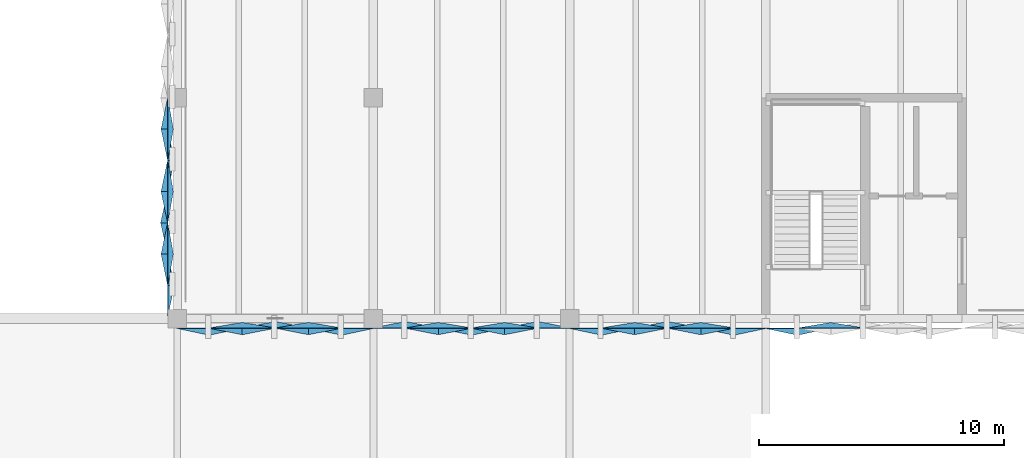
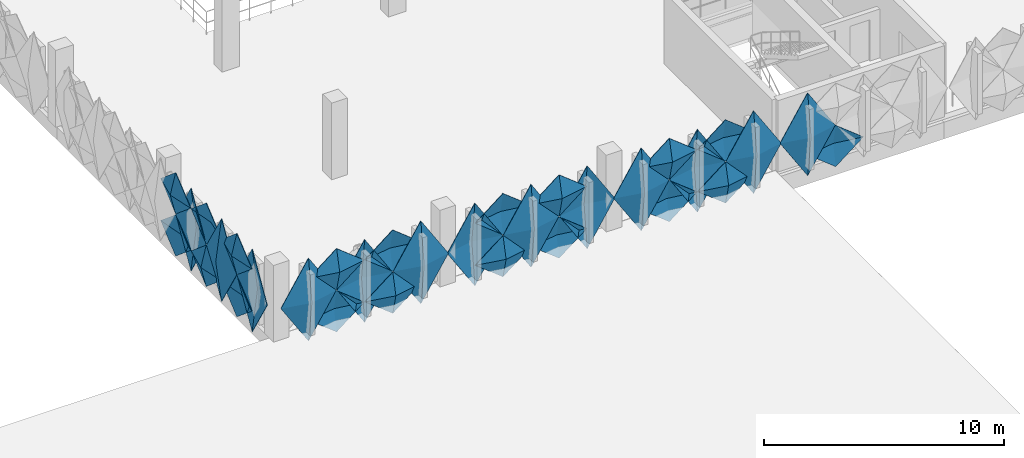
# One storey, part 52 of 76: 32 plates.
"""IFC4 building model written with IfcOpenShell, lengths in metres."""

from ifc_helpers import new_model, si_unit, derived_unit, direction, frame, origin, place, context, subcontext, project, spatial, polygons, material, layer, layer_set, type_object, element, save


model = new_model("IFC4")

# Units and contexts
model_context = context("Model", 3, precision=1e-05, world=origin(), true_north=direction((0.0, 1.0)))
body_context = subcontext(model_context, "Body", "Model", "MODEL_VIEW")
ifc_project = project(units=[si_unit("LENGTHUNIT", "METRE"), si_unit("AREAUNIT", "SQUARE_METRE"), si_unit("VOLUMEUNIT", "CUBIC_METRE"), si_unit("PLANEANGLEUNIT", "RADIAN"), si_unit("MASSUNIT", "GRAM", prefix="KILO"), si_unit("THERMODYNAMICTEMPERATUREUNIT", "KELVIN"), derived_unit("THERMALTRANSMITTANCEUNIT", [(si_unit("POWERUNIT", "WATT"), 1), (si_unit("AREAUNIT", "SQUARE_METRE"), -1), (si_unit("THERMODYNAMICTEMPERATUREUNIT", "KELVIN"), -1)])], contexts=[model_context])

# Site, building, storey
site_placement = place(None, origin())
site = spatial("IfcSite", under=ifc_project, at=site_placement, CompositionType="ELEMENT")
building_placement = place(site_placement, origin())
building = spatial("IfcBuilding", under=site, at=building_placement, Name="Haiyu Intermodal Mobility Hub", CompositionType="ELEMENT")
storey_placement = place(building_placement, frame((0.0, 0.0, 17.300048828125)))
storey = spatial("IfcBuildingStorey", under=building, at=storey_placement, Name="L04", CompositionType="ELEMENT", Elevation=17.300048828125)

# Plates
ifc_material = material(Name="Anodised aluminium 6063-T6", Category="aluminium")
ifc_layer_1 = layer(ifc_material, 0.01806640625)
ifc_layer_set_1 = layer_set([ifc_layer_1], Name="Anodised aluminium 6063-T6")
plate_type_1 = type_object("IfcPlateType", Name="PLT-FC01", PredefinedType="USERDEFINED", material=ifc_layer_set_1)
plate_1_placement = place(storey_placement, origin())
element("IfcPlate", 1, at=plate_1_placement, inside=storey, type_object=plate_type_1, Name="PLT-PYR-0591", ObjectType="FACADE CASSETTE", PredefinedType="USERDEFINED", context=body_context, shape_type="Tessellation", body=[
    polygons([(37.60009765625, 109.177001953125, -0.52001953125), (37.60009765625, 107.923095703125, 0.530029296875), (37.60009765625, 109.177001953125, 1.579833984375), (37.60009765625, 110.430908203125, 0.530029296875), (37.340087890625, 109.177001953125, 0.530029296875), (37.6220703125, 109.177001953125, -0.52001953125), (37.6220703125, 107.923095703125, 0.530029296875), (37.6220703125, 109.177001953125, 1.579833984375), (37.6220703125, 110.430908203125, 0.530029296875), (37.362060546875, 109.177001953125, 0.530029296875)], [[[1, 2, 5]], [[2, 3, 5]], [[3, 4, 5]], [[4, 1, 5]], [[7, 6, 10]], [[8, 7, 10]], [[9, 8, 10]], [[6, 9, 10]], [[1, 6, 7, 2]], [[2, 7, 8, 3]], [[3, 8, 9, 4]], [[4, 9, 6, 1]]], closed=True),
])
plate_2_placement = place(storey_placement, origin())
element("IfcPlate", 2, at=plate_2_placement, inside=storey, type_object=plate_type_1, Name="PLT-PYR-2232", ObjectType="FACADE CASSETTE", PredefinedType="USERDEFINED", context=body_context, shape_type="Tessellation", body=[
    polygons([(63.300048828125, 103.60009765625, -0.510009765625), (64.6298828125, 103.60009765625, 1.599853515625), (63.300048828125, 103.60009765625, 3.7099609375), (61.969970703125, 103.60009765625, 1.599853515625), (63.300048828125, 103.320068359375, 1.599853515625), (63.300048828125, 103.6220703125, -0.510009765625), (64.6298828125, 103.6220703125, 1.599853515625), (63.300048828125, 103.6220703125, 3.7099609375), (61.969970703125, 103.6220703125, 1.599853515625), (63.300048828125, 103.342041015625, 1.599853515625)], [[[1, 2, 5]], [[2, 3, 5]], [[3, 4, 5]], [[4, 1, 5]], [[7, 6, 10]], [[8, 7, 10]], [[9, 8, 10]], [[6, 9, 10]], [[1, 6, 7, 2]], [[2, 7, 8, 3]], [[3, 8, 9, 4]], [[4, 9, 6, 1]]], closed=True),
])
plate_3_placement = place(storey_placement, origin())
element("IfcPlate", 3, at=plate_3_placement, inside=storey, type_object=plate_type_1, Name="PLT-PYR-2535", ObjectType="FACADE CASSETTE", PredefinedType="USERDEFINED", context=body_context, shape_type="Tessellation", body=[
    polygons([(39.300048828125, 103.60009765625, -0.510009765625), (40.6298828125, 103.60009765625, 1.599853515625), (39.300048828125, 103.60009765625, 3.7099609375), (37.969970703125, 103.60009765625, 1.599853515625), (39.300048828125, 103.320068359375, 1.599853515625), (39.300048828125, 103.6220703125, -0.510009765625), (40.6298828125, 103.6220703125, 1.599853515625), (39.300048828125, 103.6220703125, 3.7099609375), (37.969970703125, 103.6220703125, 1.599853515625), (39.300048828125, 103.342041015625, 1.599853515625)], [[[1, 2, 5]], [[2, 3, 5]], [[3, 4, 5]], [[4, 1, 5]], [[7, 6, 10]], [[8, 7, 10]], [[9, 8, 10]], [[6, 9, 10]], [[1, 6, 7, 2]], [[2, 7, 8, 3]], [[3, 8, 9, 4]], [[4, 9, 6, 1]]], closed=True),
])
plate_4_placement = place(storey_placement, origin())
element("IfcPlate", 4, at=plate_4_placement, inside=storey, type_object=plate_type_1, Name="PLT-PYR-2539", ObjectType="FACADE CASSETTE", PredefinedType="USERDEFINED", context=body_context, shape_type="Tessellation", body=[
    polygons([(43.35009765625, 103.60009765625, -0.52001953125), (44.679931640625, 103.60009765625, 0.530029296875), (43.35009765625, 103.60009765625, 1.579833984375), (42.02001953125, 103.60009765625, 0.530029296875), (43.35009765625, 103.340087890625, 0.530029296875), (43.35009765625, 103.6220703125, -0.52001953125), (44.679931640625, 103.6220703125, 0.530029296875), (43.35009765625, 103.6220703125, 1.579833984375), (42.02001953125, 103.6220703125, 0.530029296875), (43.35009765625, 103.362060546875, 0.530029296875)], [[[1, 2, 5]], [[2, 3, 5]], [[3, 4, 5]], [[4, 1, 5]], [[7, 6, 10]], [[8, 7, 10]], [[9, 8, 10]], [[6, 9, 10]], [[1, 6, 7, 2]], [[2, 7, 8, 3]], [[3, 8, 9, 4]], [[4, 9, 6, 1]]], closed=True),
])
plate_5_placement = place(storey_placement, origin())
element("IfcPlate", 5, at=plate_5_placement, inside=storey, type_object=plate_type_1, Name="PLT-PYR-2543", ObjectType="FACADE CASSETTE", PredefinedType="USERDEFINED", context=body_context, shape_type="Tessellation", body=[
    polygons([(48.64990234375, 103.60009765625, -0.52001953125), (49.97998046875, 103.60009765625, 0.530029296875), (48.64990234375, 103.60009765625, 1.579833984375), (47.320068359375, 103.60009765625, 0.530029296875), (48.64990234375, 103.340087890625, 0.530029296875), (48.64990234375, 103.6220703125, -0.52001953125), (49.97998046875, 103.6220703125, 0.530029296875), (48.64990234375, 103.6220703125, 1.579833984375), (47.320068359375, 103.6220703125, 0.530029296875), (48.64990234375, 103.362060546875, 0.530029296875)], [[[1, 2, 5]], [[2, 3, 5]], [[3, 4, 5]], [[4, 1, 5]], [[7, 6, 10]], [[8, 7, 10]], [[9, 8, 10]], [[6, 9, 10]], [[1, 6, 7, 2]], [[2, 7, 8, 3]], [[3, 8, 9, 4]], [[4, 9, 6, 1]]], closed=True),
])
plate_6_placement = place(storey_placement, origin())
element("IfcPlate", 6, at=plate_6_placement, inside=storey, type_object=plate_type_1, Name="PLT-PYR-2549", ObjectType="FACADE CASSETTE", PredefinedType="USERDEFINED", context=body_context, shape_type="Tessellation", body=[
    polygons([(55.300048828125, 103.60009765625, -0.510009765625), (56.6298828125, 103.60009765625, 1.599853515625), (55.300048828125, 103.60009765625, 3.7099609375), (53.969970703125, 103.60009765625, 1.599853515625), (55.300048828125, 103.320068359375, 1.599853515625), (55.300048828125, 103.6220703125, -0.510009765625), (56.6298828125, 103.6220703125, 1.599853515625), (55.300048828125, 103.6220703125, 3.7099609375), (53.969970703125, 103.6220703125, 1.599853515625), (55.300048828125, 103.342041015625, 1.599853515625)], [[[1, 2, 5]], [[2, 3, 5]], [[3, 4, 5]], [[4, 1, 5]], [[7, 6, 10]], [[8, 7, 10]], [[9, 8, 10]], [[6, 9, 10]], [[1, 6, 7, 2]], [[2, 7, 8, 3]], [[3, 8, 9, 4]], [[4, 9, 6, 1]]], closed=True),
])
plate_7_placement = place(storey_placement, origin())
element("IfcPlate", 7, at=plate_7_placement, inside=storey, type_object=plate_type_1, Name="PLT-PYR-2553", ObjectType="FACADE CASSETTE", PredefinedType="USERDEFINED", context=body_context, shape_type="Tessellation", body=[
    polygons([(59.35009765625, 103.60009765625, -0.52001953125), (60.679931640625, 103.60009765625, 0.530029296875), (59.35009765625, 103.60009765625, 1.579833984375), (58.02001953125, 103.60009765625, 0.530029296875), (59.35009765625, 103.340087890625, 0.530029296875), (59.35009765625, 103.6220703125, -0.52001953125), (60.679931640625, 103.6220703125, 0.530029296875), (59.35009765625, 103.6220703125, 1.579833984375), (58.02001953125, 103.6220703125, 0.530029296875), (59.35009765625, 103.362060546875, 0.530029296875)], [[[1, 2, 5]], [[2, 3, 5]], [[3, 4, 5]], [[4, 1, 5]], [[7, 6, 10]], [[8, 7, 10]], [[9, 8, 10]], [[6, 9, 10]], [[1, 6, 7, 2]], [[2, 7, 8, 3]], [[3, 8, 9, 4]], [[4, 9, 6, 1]]], closed=True),
])
ifc_layer_2 = layer(ifc_material, 0.02001953125)
ifc_layer_set_2 = layer_set([ifc_layer_2], Name="Anodised aluminium 6063-T6")
plate_type_2 = type_object("IfcPlateType", Name="PLT-FC02", PredefinedType="USERDEFINED", material=ifc_layer_set_2)
plate_8_placement = place(storey_placement, origin())
element("IfcPlate", 8, at=plate_8_placement, inside=storey, type_object=plate_type_2, Name="PLT-PYR-0588", ObjectType="FACADE CASSETTE", PredefinedType="USERDEFINED", context=body_context, shape_type="Tessellation", body=[
    polygons([(37.60009765625, 111.72607421875, -0.52001953125), (37.60009765625, 110.470947265625, 0.530029296875), (37.60009765625, 111.72607421875, 1.579833984375), (37.60009765625, 112.97998046875, 0.530029296875), (37.820068359375, 111.72607421875, 0.530029296875), (37.6220703125, 111.72607421875, -0.52001953125), (37.6220703125, 110.470947265625, 0.530029296875), (37.6220703125, 111.72607421875, 1.579833984375), (37.6220703125, 112.97998046875, 0.530029296875), (37.842041015625, 111.72607421875, 0.530029296875)], [[[1, 2, 5]], [[2, 3, 5]], [[3, 4, 5]], [[4, 1, 5]], [[7, 6, 10]], [[8, 7, 10]], [[9, 8, 10]], [[6, 9, 10]], [[1, 6, 7, 2]], [[2, 7, 8, 3]], [[3, 8, 9, 4]], [[4, 9, 6, 1]]], closed=True),
])
plate_9_placement = place(storey_placement, origin())
element("IfcPlate", 9, at=plate_9_placement, inside=storey, type_object=plate_type_2, Name="PLT-PYR-0590", ObjectType="FACADE CASSETTE", PredefinedType="USERDEFINED", context=body_context, shape_type="Tessellation", body=[
    polygons([(37.60009765625, 110.450927734375, -0.510009765625), (37.60009765625, 109.197021484375, 1.599853515625), (37.60009765625, 110.450927734375, 3.7099609375), (37.60009765625, 111.7060546875, 1.599853515625), (37.860107421875, 110.450927734375, 1.599853515625), (37.6220703125, 110.450927734375, -0.510009765625), (37.6220703125, 109.197021484375, 1.599853515625), (37.6220703125, 110.450927734375, 3.7099609375), (37.6220703125, 111.7060546875, 1.599853515625), (37.882080078125, 110.450927734375, 1.599853515625)], [[[1, 2, 5]], [[2, 3, 5]], [[3, 4, 5]], [[4, 1, 5]], [[7, 6, 10]], [[8, 7, 10]], [[9, 8, 10]], [[6, 9, 10]], [[1, 6, 7, 2]], [[2, 7, 8, 3]], [[3, 8, 9, 4]], [[4, 9, 6, 1]]], closed=True),
])
plate_10_placement = place(storey_placement, origin())
element("IfcPlate", 10, at=plate_10_placement, inside=storey, type_object=plate_type_2, Name="PLT-PYR-0594", ObjectType="FACADE CASSETTE", PredefinedType="USERDEFINED", context=body_context, shape_type="Tessellation", body=[
    polygons([(37.60009765625, 106.62890625, -0.52001953125), (37.60009765625, 105.3740234375, 0.530029296875), (37.60009765625, 106.62890625, 1.579833984375), (37.60009765625, 107.883056640625, 0.530029296875), (37.820068359375, 106.62890625, 0.530029296875), (37.6220703125, 106.62890625, -0.52001953125), (37.6220703125, 105.3740234375, 0.530029296875), (37.6220703125, 106.62890625, 1.579833984375), (37.6220703125, 107.883056640625, 0.530029296875), (37.842041015625, 106.62890625, 0.530029296875)], [[[1, 2, 5]], [[2, 3, 5]], [[3, 4, 5]], [[4, 1, 5]], [[7, 6, 10]], [[8, 7, 10]], [[9, 8, 10]], [[6, 9, 10]], [[1, 6, 7, 2]], [[2, 7, 8, 3]], [[3, 8, 9, 4]], [[4, 9, 6, 1]]], closed=True),
])
plate_11_placement = place(storey_placement, origin())
element("IfcPlate", 11, at=plate_11_placement, inside=storey, type_object=plate_type_2, Name="PLT-PYR-2233", ObjectType="FACADE CASSETTE", PredefinedType="USERDEFINED", context=body_context, shape_type="Tessellation", body=[
    polygons([(64.64990234375, 103.60009765625, -0.52001953125), (65.97998046875, 103.60009765625, 0.530029296875), (64.64990234375, 103.60009765625, 1.579833984375), (63.320068359375, 103.60009765625, 0.530029296875), (64.64990234375, 103.820068359375, 0.530029296875), (64.64990234375, 103.6220703125, -0.52001953125), (65.97998046875, 103.6220703125, 0.530029296875), (64.64990234375, 103.6220703125, 1.579833984375), (63.320068359375, 103.6220703125, 0.530029296875), (64.64990234375, 103.842041015625, 0.530029296875)], [[[1, 2, 5]], [[2, 3, 5]], [[3, 4, 5]], [[4, 1, 5]], [[7, 6, 10]], [[8, 7, 10]], [[9, 8, 10]], [[6, 9, 10]], [[1, 6, 7, 2]], [[2, 7, 8, 3]], [[3, 8, 9, 4]], [[4, 9, 6, 1]]], closed=True),
])
plate_12_placement = place(storey_placement, origin())
element("IfcPlate", 12, at=plate_12_placement, inside=storey, type_object=plate_type_2, Name="PLT-PYR-2536", ObjectType="FACADE CASSETTE", PredefinedType="USERDEFINED", context=body_context, shape_type="Tessellation", body=[
    polygons([(40.64990234375, 103.60009765625, -0.52001953125), (41.97998046875, 103.60009765625, 0.530029296875), (40.64990234375, 103.60009765625, 1.579833984375), (39.320068359375, 103.60009765625, 0.530029296875), (40.64990234375, 103.820068359375, 0.530029296875), (40.64990234375, 103.6220703125, -0.52001953125), (41.97998046875, 103.6220703125, 0.530029296875), (40.64990234375, 103.6220703125, 1.579833984375), (39.320068359375, 103.6220703125, 0.530029296875), (40.64990234375, 103.842041015625, 0.530029296875)], [[[1, 2, 5]], [[2, 3, 5]], [[3, 4, 5]], [[4, 1, 5]], [[7, 6, 10]], [[8, 7, 10]], [[9, 8, 10]], [[6, 9, 10]], [[1, 6, 7, 2]], [[2, 7, 8, 3]], [[3, 8, 9, 4]], [[4, 9, 6, 1]]], closed=True),
])
plate_13_placement = place(storey_placement, origin())
element("IfcPlate", 13, at=plate_13_placement, inside=storey, type_object=plate_type_2, Name="PLT-PYR-2542", ObjectType="FACADE CASSETTE", PredefinedType="USERDEFINED", context=body_context, shape_type="Tessellation", body=[
    polygons([(47.300048828125, 103.60009765625, -0.510009765625), (48.6298828125, 103.60009765625, 1.599853515625), (47.300048828125, 103.60009765625, 3.7099609375), (45.969970703125, 103.60009765625, 1.599853515625), (47.300048828125, 103.860107421875, 1.599853515625), (47.300048828125, 103.6220703125, -0.510009765625), (48.6298828125, 103.6220703125, 1.599853515625), (47.300048828125, 103.6220703125, 3.7099609375), (45.969970703125, 103.6220703125, 1.599853515625), (47.300048828125, 103.882080078125, 1.599853515625)], [[[1, 2, 5]], [[2, 3, 5]], [[3, 4, 5]], [[4, 1, 5]], [[7, 6, 10]], [[8, 7, 10]], [[9, 8, 10]], [[6, 9, 10]], [[1, 6, 7, 2]], [[2, 7, 8, 3]], [[3, 8, 9, 4]], [[4, 9, 6, 1]]], closed=True),
])
plate_14_placement = place(storey_placement, origin())
element("IfcPlate", 14, at=plate_14_placement, inside=storey, type_object=plate_type_2, Name="PLT-PYR-2546", ObjectType="FACADE CASSETTE", PredefinedType="USERDEFINED", context=body_context, shape_type="Tessellation", body=[
    polygons([(51.35009765625, 103.60009765625, -0.52001953125), (52.679931640625, 103.60009765625, 0.530029296875), (51.35009765625, 103.60009765625, 1.579833984375), (50.02001953125, 103.60009765625, 0.530029296875), (51.35009765625, 103.820068359375, 0.530029296875), (51.35009765625, 103.6220703125, -0.52001953125), (52.679931640625, 103.6220703125, 0.530029296875), (51.35009765625, 103.6220703125, 1.579833984375), (50.02001953125, 103.6220703125, 0.530029296875), (51.35009765625, 103.842041015625, 0.530029296875)], [[[1, 2, 5]], [[2, 3, 5]], [[3, 4, 5]], [[4, 1, 5]], [[7, 6, 10]], [[8, 7, 10]], [[9, 8, 10]], [[6, 9, 10]], [[1, 6, 7, 2]], [[2, 7, 8, 3]], [[3, 8, 9, 4]], [[4, 9, 6, 1]]], closed=True),
])
plate_15_placement = place(storey_placement, origin())
element("IfcPlate", 15, at=plate_15_placement, inside=storey, type_object=plate_type_2, Name="PLT-PYR-2550", ObjectType="FACADE CASSETTE", PredefinedType="USERDEFINED", context=body_context, shape_type="Tessellation", body=[
    polygons([(56.64990234375, 103.60009765625, -0.52001953125), (57.97998046875, 103.60009765625, 0.530029296875), (56.64990234375, 103.60009765625, 1.579833984375), (55.320068359375, 103.60009765625, 0.530029296875), (56.64990234375, 103.820068359375, 0.530029296875), (56.64990234375, 103.6220703125, -0.52001953125), (57.97998046875, 103.6220703125, 0.530029296875), (56.64990234375, 103.6220703125, 1.579833984375), (55.320068359375, 103.6220703125, 0.530029296875), (56.64990234375, 103.842041015625, 0.530029296875)], [[[1, 2, 5]], [[2, 3, 5]], [[3, 4, 5]], [[4, 1, 5]], [[7, 6, 10]], [[8, 7, 10]], [[9, 8, 10]], [[6, 9, 10]], [[1, 6, 7, 2]], [[2, 7, 8, 3]], [[3, 8, 9, 4]], [[4, 9, 6, 1]]], closed=True),
])
ifc_layer_3 = layer(ifc_material, 0.01806640625)
ifc_layer_set_3 = layer_set([ifc_layer_3], Name="Anodised aluminium 6063-T6")
plate_type_3 = type_object("IfcPlateType", Name="PLT-FC03", PredefinedType="USERDEFINED", material=ifc_layer_set_3)
plate_16_placement = place(storey_placement, origin())
element("IfcPlate", 16, at=plate_16_placement, inside=storey, type_object=plate_type_3, Name="PLT-PYR-0589", ObjectType="FACADE CASSETTE", PredefinedType="USERDEFINED", context=body_context, shape_type="Tessellation", body=[
    polygons([(37.60009765625, 111.72607421875, 1.619873046875), (37.60009765625, 110.470947265625, 2.669921875), (37.60009765625, 111.72607421875, 3.719970703125), (37.60009765625, 112.97998046875, 2.669921875), (37.340087890625, 111.72607421875, 2.669921875), (37.6220703125, 111.72607421875, 1.619873046875), (37.6220703125, 110.470947265625, 2.669921875), (37.6220703125, 111.72607421875, 3.719970703125), (37.6220703125, 112.97998046875, 2.669921875), (37.362060546875, 111.72607421875, 2.669921875)], [[[1, 2, 5]], [[2, 3, 5]], [[3, 4, 5]], [[4, 1, 5]], [[7, 6, 10]], [[8, 7, 10]], [[9, 8, 10]], [[6, 9, 10]], [[1, 6, 7, 2]], [[2, 7, 8, 3]], [[3, 8, 9, 4]], [[4, 9, 6, 1]]], closed=True),
])
plate_17_placement = place(storey_placement, origin())
element("IfcPlate", 17, at=plate_17_placement, inside=storey, type_object=plate_type_3, Name="PLT-PYR-0593", ObjectType="FACADE CASSETTE", PredefinedType="USERDEFINED", context=body_context, shape_type="Tessellation", body=[
    polygons([(37.60009765625, 107.903076171875, -0.510009765625), (37.60009765625, 106.64892578125, 1.599853515625), (37.60009765625, 107.903076171875, 3.7099609375), (37.60009765625, 109.156982421875, 1.599853515625), (37.320068359375, 107.903076171875, 1.599853515625), (37.6220703125, 107.903076171875, -0.510009765625), (37.6220703125, 106.64892578125, 1.599853515625), (37.6220703125, 107.903076171875, 3.7099609375), (37.6220703125, 109.156982421875, 1.599853515625), (37.342041015625, 107.903076171875, 1.599853515625)], [[[1, 2, 5]], [[2, 3, 5]], [[3, 4, 5]], [[4, 1, 5]], [[7, 6, 10]], [[8, 7, 10]], [[9, 8, 10]], [[6, 9, 10]], [[1, 6, 7, 2]], [[2, 7, 8, 3]], [[3, 8, 9, 4]], [[4, 9, 6, 1]]], closed=True),
])
plate_18_placement = place(storey_placement, origin())
element("IfcPlate", 18, at=plate_18_placement, inside=storey, type_object=plate_type_3, Name="PLT-PYR-0595", ObjectType="FACADE CASSETTE", PredefinedType="USERDEFINED", context=body_context, shape_type="Tessellation", body=[
    polygons([(37.60009765625, 106.62890625, 1.619873046875), (37.60009765625, 105.3740234375, 2.669921875), (37.60009765625, 106.62890625, 3.719970703125), (37.60009765625, 107.883056640625, 2.669921875), (37.340087890625, 106.62890625, 2.669921875), (37.6220703125, 106.62890625, 1.619873046875), (37.6220703125, 105.3740234375, 2.669921875), (37.6220703125, 106.62890625, 3.719970703125), (37.6220703125, 107.883056640625, 2.669921875), (37.362060546875, 106.62890625, 2.669921875)], [[[1, 2, 5]], [[2, 3, 5]], [[3, 4, 5]], [[4, 1, 5]], [[7, 6, 10]], [[8, 7, 10]], [[9, 8, 10]], [[6, 9, 10]], [[1, 6, 7, 2]], [[2, 7, 8, 3]], [[3, 8, 9, 4]], [[4, 9, 6, 1]]], closed=True),
])
plate_19_placement = place(storey_placement, origin())
element("IfcPlate", 19, at=plate_19_placement, inside=storey, type_object=plate_type_3, Name="PLT-PYR-2537", ObjectType="FACADE CASSETTE", PredefinedType="USERDEFINED", context=body_context, shape_type="Tessellation", body=[
    polygons([(40.64990234375, 103.60009765625, 1.619873046875), (41.97998046875, 103.60009765625, 2.669921875), (40.64990234375, 103.60009765625, 3.719970703125), (39.320068359375, 103.60009765625, 2.669921875), (40.64990234375, 103.340087890625, 2.669921875), (40.64990234375, 103.6220703125, 1.619873046875), (41.97998046875, 103.6220703125, 2.669921875), (40.64990234375, 103.6220703125, 3.719970703125), (39.320068359375, 103.6220703125, 2.669921875), (40.64990234375, 103.362060546875, 2.669921875)], [[[1, 2, 5]], [[2, 3, 5]], [[3, 4, 5]], [[4, 1, 5]], [[7, 6, 10]], [[8, 7, 10]], [[9, 8, 10]], [[6, 9, 10]], [[1, 6, 7, 2]], [[2, 7, 8, 3]], [[3, 8, 9, 4]], [[4, 9, 6, 1]]], closed=True),
])
plate_20_placement = place(storey_placement, origin())
element("IfcPlate", 20, at=plate_20_placement, inside=storey, type_object=plate_type_3, Name="PLT-PYR-2545", ObjectType="FACADE CASSETTE", PredefinedType="USERDEFINED", context=body_context, shape_type="Tessellation", body=[
    polygons([(50.0, 103.60009765625, -0.510009765625), (51.330078125, 103.60009765625, 1.599853515625), (50.0, 103.60009765625, 3.7099609375), (48.669921875, 103.60009765625, 1.599853515625), (50.0, 103.320068359375, 1.599853515625), (50.0, 103.6220703125, -0.510009765625), (51.330078125, 103.6220703125, 1.599853515625), (50.0, 103.6220703125, 3.7099609375), (48.669921875, 103.6220703125, 1.599853515625), (50.0, 103.342041015625, 1.599853515625)], [[[1, 2, 5]], [[2, 3, 5]], [[3, 4, 5]], [[4, 1, 5]], [[7, 6, 10]], [[8, 7, 10]], [[9, 8, 10]], [[6, 9, 10]], [[1, 6, 7, 2]], [[2, 7, 8, 3]], [[3, 8, 9, 4]], [[4, 9, 6, 1]]], closed=True),
])
plate_21_placement = place(storey_placement, origin())
element("IfcPlate", 21, at=plate_21_placement, inside=storey, type_object=plate_type_3, Name="PLT-PYR-2547", ObjectType="FACADE CASSETTE", PredefinedType="USERDEFINED", context=body_context, shape_type="Tessellation", body=[
    polygons([(51.35009765625, 103.60009765625, 1.619873046875), (52.679931640625, 103.60009765625, 2.669921875), (51.35009765625, 103.60009765625, 3.719970703125), (50.02001953125, 103.60009765625, 2.669921875), (51.35009765625, 103.340087890625, 2.669921875), (51.35009765625, 103.6220703125, 1.619873046875), (52.679931640625, 103.6220703125, 2.669921875), (51.35009765625, 103.6220703125, 3.719970703125), (50.02001953125, 103.6220703125, 2.669921875), (51.35009765625, 103.362060546875, 2.669921875)], [[[1, 2, 5]], [[2, 3, 5]], [[3, 4, 5]], [[4, 1, 5]], [[7, 6, 10]], [[8, 7, 10]], [[9, 8, 10]], [[6, 9, 10]], [[1, 6, 7, 2]], [[2, 7, 8, 3]], [[3, 8, 9, 4]], [[4, 9, 6, 1]]], closed=True),
])
plate_22_placement = place(storey_placement, origin())
element("IfcPlate", 22, at=plate_22_placement, inside=storey, type_object=plate_type_3, Name="PLT-PYR-2551", ObjectType="FACADE CASSETTE", PredefinedType="USERDEFINED", context=body_context, shape_type="Tessellation", body=[
    polygons([(56.64990234375, 103.60009765625, 1.619873046875), (57.97998046875, 103.60009765625, 2.669921875), (56.64990234375, 103.60009765625, 3.719970703125), (55.320068359375, 103.60009765625, 2.669921875), (56.64990234375, 103.340087890625, 2.669921875), (56.64990234375, 103.6220703125, 1.619873046875), (57.97998046875, 103.6220703125, 2.669921875), (56.64990234375, 103.6220703125, 3.719970703125), (55.320068359375, 103.6220703125, 2.669921875), (56.64990234375, 103.362060546875, 2.669921875)], [[[1, 2, 5]], [[2, 3, 5]], [[3, 4, 5]], [[4, 1, 5]], [[7, 6, 10]], [[8, 7, 10]], [[9, 8, 10]], [[6, 9, 10]], [[1, 6, 7, 2]], [[2, 7, 8, 3]], [[3, 8, 9, 4]], [[4, 9, 6, 1]]], closed=True),
])
ifc_layer_4 = layer(ifc_material, 0.02001953125)
ifc_layer_set_4 = layer_set([ifc_layer_4], Name="Anodised aluminium 6063-T6")
plate_type_4 = type_object("IfcPlateType", Name="PLT-FC04", PredefinedType="USERDEFINED", material=ifc_layer_set_4)
plate_23_placement = place(storey_placement, origin())
element("IfcPlate", 23, at=plate_23_placement, inside=storey, type_object=plate_type_4, Name="PLT-PYR-0592", ObjectType="FACADE CASSETTE", PredefinedType="USERDEFINED", context=body_context, shape_type="Tessellation", body=[
    polygons([(37.60009765625, 109.177001953125, 1.619873046875), (37.60009765625, 107.923095703125, 2.669921875), (37.60009765625, 109.177001953125, 3.719970703125), (37.60009765625, 110.430908203125, 2.669921875), (37.820068359375, 109.177001953125, 2.669921875), (37.6220703125, 109.177001953125, 1.619873046875), (37.6220703125, 107.923095703125, 2.669921875), (37.6220703125, 109.177001953125, 3.719970703125), (37.6220703125, 110.430908203125, 2.669921875), (37.842041015625, 109.177001953125, 2.669921875)], [[[1, 2, 5]], [[2, 3, 5]], [[3, 4, 5]], [[4, 1, 5]], [[7, 6, 10]], [[8, 7, 10]], [[9, 8, 10]], [[6, 9, 10]], [[1, 6, 7, 2]], [[2, 7, 8, 3]], [[3, 8, 9, 4]], [[4, 9, 6, 1]]], closed=True),
])
plate_24_placement = place(storey_placement, origin())
element("IfcPlate", 24, at=plate_24_placement, inside=storey, type_object=plate_type_4, Name="PLT-PYR-2538", ObjectType="FACADE CASSETTE", PredefinedType="USERDEFINED", context=body_context, shape_type="Tessellation", body=[
    polygons([(42.0, 103.60009765625, -0.510009765625), (43.330078125, 103.60009765625, 1.599853515625), (42.0, 103.60009765625, 3.7099609375), (40.669921875, 103.60009765625, 1.599853515625), (42.0, 103.860107421875, 1.599853515625), (42.0, 103.6220703125, -0.510009765625), (43.330078125, 103.6220703125, 1.599853515625), (42.0, 103.6220703125, 3.7099609375), (40.669921875, 103.6220703125, 1.599853515625), (42.0, 103.882080078125, 1.599853515625)], [[[1, 2, 5]], [[2, 3, 5]], [[3, 4, 5]], [[4, 1, 5]], [[7, 6, 10]], [[8, 7, 10]], [[9, 8, 10]], [[6, 9, 10]], [[1, 6, 7, 2]], [[2, 7, 8, 3]], [[3, 8, 9, 4]], [[4, 9, 6, 1]]], closed=True),
])
plate_25_placement = place(storey_placement, origin())
element("IfcPlate", 25, at=plate_25_placement, inside=storey, type_object=plate_type_4, Name="PLT-PYR-2540", ObjectType="FACADE CASSETTE", PredefinedType="USERDEFINED", context=body_context, shape_type="Tessellation", body=[
    polygons([(43.35009765625, 103.60009765625, 1.619873046875), (44.679931640625, 103.60009765625, 2.669921875), (43.35009765625, 103.60009765625, 3.719970703125), (42.02001953125, 103.60009765625, 2.669921875), (43.35009765625, 103.820068359375, 2.669921875), (43.35009765625, 103.6220703125, 1.619873046875), (44.679931640625, 103.6220703125, 2.669921875), (43.35009765625, 103.6220703125, 3.719970703125), (42.02001953125, 103.6220703125, 2.669921875), (43.35009765625, 103.842041015625, 2.669921875)], [[[1, 2, 5]], [[2, 3, 5]], [[3, 4, 5]], [[4, 1, 5]], [[7, 6, 10]], [[8, 7, 10]], [[9, 8, 10]], [[6, 9, 10]], [[1, 6, 7, 2]], [[2, 7, 8, 3]], [[3, 8, 9, 4]], [[4, 9, 6, 1]]], closed=True),
])
plate_26_placement = place(storey_placement, origin())
element("IfcPlate", 26, at=plate_26_placement, inside=storey, type_object=plate_type_4, Name="PLT-PYR-2544", ObjectType="FACADE CASSETTE", PredefinedType="USERDEFINED", context=body_context, shape_type="Tessellation", body=[
    polygons([(48.64990234375, 103.60009765625, 1.619873046875), (49.97998046875, 103.60009765625, 2.669921875), (48.64990234375, 103.60009765625, 3.719970703125), (47.320068359375, 103.60009765625, 2.669921875), (48.64990234375, 103.820068359375, 2.669921875), (48.64990234375, 103.6220703125, 1.619873046875), (49.97998046875, 103.6220703125, 2.669921875), (48.64990234375, 103.6220703125, 3.719970703125), (47.320068359375, 103.6220703125, 2.669921875), (48.64990234375, 103.842041015625, 2.669921875)], [[[1, 2, 5]], [[2, 3, 5]], [[3, 4, 5]], [[4, 1, 5]], [[7, 6, 10]], [[8, 7, 10]], [[9, 8, 10]], [[6, 9, 10]], [[1, 6, 7, 2]], [[2, 7, 8, 3]], [[3, 8, 9, 4]], [[4, 9, 6, 1]]], closed=True),
])
plate_27_placement = place(storey_placement, origin())
element("IfcPlate", 27, at=plate_27_placement, inside=storey, type_object=plate_type_4, Name="PLT-PYR-2552", ObjectType="FACADE CASSETTE", PredefinedType="USERDEFINED", context=body_context, shape_type="Tessellation", body=[
    polygons([(58.0, 103.60009765625, -0.510009765625), (59.330078125, 103.60009765625, 1.599853515625), (58.0, 103.60009765625, 3.7099609375), (56.669921875, 103.60009765625, 1.599853515625), (58.0, 103.860107421875, 1.599853515625), (58.0, 103.6220703125, -0.510009765625), (59.330078125, 103.6220703125, 1.599853515625), (58.0, 103.6220703125, 3.7099609375), (56.669921875, 103.6220703125, 1.599853515625), (58.0, 103.882080078125, 1.599853515625)], [[[1, 2, 5]], [[2, 3, 5]], [[3, 4, 5]], [[4, 1, 5]], [[7, 6, 10]], [[8, 7, 10]], [[9, 8, 10]], [[6, 9, 10]], [[1, 6, 7, 2]], [[2, 7, 8, 3]], [[3, 8, 9, 4]], [[4, 9, 6, 1]]], closed=True),
])
plate_28_placement = place(storey_placement, origin())
element("IfcPlate", 28, at=plate_28_placement, inside=storey, type_object=plate_type_4, Name="PLT-PYR-2554", ObjectType="FACADE CASSETTE", PredefinedType="USERDEFINED", context=body_context, shape_type="Tessellation", body=[
    polygons([(59.35009765625, 103.60009765625, 1.619873046875), (60.679931640625, 103.60009765625, 2.669921875), (59.35009765625, 103.60009765625, 3.719970703125), (58.02001953125, 103.60009765625, 2.669921875), (59.35009765625, 103.820068359375, 2.669921875), (59.35009765625, 103.6220703125, 1.619873046875), (60.679931640625, 103.6220703125, 2.669921875), (59.35009765625, 103.6220703125, 3.719970703125), (58.02001953125, 103.6220703125, 2.669921875), (59.35009765625, 103.842041015625, 2.669921875)], [[[1, 2, 5]], [[2, 3, 5]], [[3, 4, 5]], [[4, 1, 5]], [[7, 6, 10]], [[8, 7, 10]], [[9, 8, 10]], [[6, 9, 10]], [[1, 6, 7, 2]], [[2, 7, 8, 3]], [[3, 8, 9, 4]], [[4, 9, 6, 1]]], closed=True),
])
ifc_layer_5 = layer(ifc_material, 0.01806640625)
ifc_layer_set_5 = layer_set([ifc_layer_5], Name="Anodised aluminium 6063-T6")
plate_type_5 = type_object("IfcPlateType", Name="PLT-FC05", PredefinedType="USERDEFINED", material=ifc_layer_set_5)
plate_29_placement = place(storey_placement, origin())
element("IfcPlate", 29, at=plate_29_placement, inside=storey, type_object=plate_type_5, Name="PLT-PYR-2541", ObjectType="FACADE CASSETTE", PredefinedType="USERDEFINED", context=body_context, shape_type="Tessellation", body=[
    polygons([(44.699951171875, 103.60009765625, -0.510009765625), (46.030029296875, 103.60009765625, 1.599853515625), (44.699951171875, 103.60009765625, 3.7099609375), (43.3701171875, 103.60009765625, 1.599853515625), (44.699951171875, 103.320068359375, 1.599853515625), (44.699951171875, 103.6220703125, -0.510009765625), (46.030029296875, 103.6220703125, 1.599853515625), (44.699951171875, 103.6220703125, 3.7099609375), (43.3701171875, 103.6220703125, 1.599853515625), (44.699951171875, 103.342041015625, 1.599853515625)], [[[1, 2, 5]], [[2, 3, 5]], [[3, 4, 5]], [[4, 1, 5]], [[7, 6, 10]], [[8, 7, 10]], [[9, 8, 10]], [[6, 9, 10]], [[1, 6, 7, 2]], [[2, 7, 8, 3]], [[3, 8, 9, 4]], [[4, 9, 6, 1]]], closed=True),
])
plate_30_placement = place(storey_placement, origin())
element("IfcPlate", 30, at=plate_30_placement, inside=storey, type_object=plate_type_5, Name="PLT-PYR-2555", ObjectType="FACADE CASSETTE", PredefinedType="USERDEFINED", context=body_context, shape_type="Tessellation", body=[
    polygons([(60.699951171875, 103.60009765625, -0.510009765625), (62.030029296875, 103.60009765625, 1.599853515625), (60.699951171875, 103.60009765625, 3.7099609375), (59.3701171875, 103.60009765625, 1.599853515625), (60.699951171875, 103.320068359375, 1.599853515625), (60.699951171875, 103.6220703125, -0.510009765625), (62.030029296875, 103.6220703125, 1.599853515625), (60.699951171875, 103.6220703125, 3.7099609375), (59.3701171875, 103.6220703125, 1.599853515625), (60.699951171875, 103.342041015625, 1.599853515625)], [[[1, 2, 5]], [[2, 3, 5]], [[3, 4, 5]], [[4, 1, 5]], [[7, 6, 10]], [[8, 7, 10]], [[9, 8, 10]], [[6, 9, 10]], [[1, 6, 7, 2]], [[2, 7, 8, 3]], [[3, 8, 9, 4]], [[4, 9, 6, 1]]], closed=True),
])
ifc_layer_6 = layer(ifc_material, 0.02001953125)
ifc_layer_set_6 = layer_set([ifc_layer_6], Name="Anodised aluminium 6063-T6")
plate_type_6 = type_object("IfcPlateType", Name="PLT-FC06", PredefinedType="USERDEFINED", material=ifc_layer_set_6)
plate_31_placement = place(storey_placement, origin())
element("IfcPlate", 31, at=plate_31_placement, inside=storey, type_object=plate_type_6, Name="PLT-PYR-0596", ObjectType="FACADE CASSETTE", PredefinedType="USERDEFINED", context=body_context, shape_type="Tessellation", body=[
    polygons([(37.60009765625, 105.35400390625, -0.510009765625), (37.60009765625, 104.10009765625, 1.599853515625), (37.60009765625, 105.35400390625, 3.7099609375), (37.60009765625, 106.60888671875, 1.599853515625), (37.860107421875, 105.35400390625, 1.599853515625), (37.6220703125, 105.35400390625, -0.510009765625), (37.6220703125, 104.10009765625, 1.599853515625), (37.6220703125, 105.35400390625, 3.7099609375), (37.6220703125, 106.60888671875, 1.599853515625), (37.882080078125, 105.35400390625, 1.599853515625)], [[[1, 2, 5]], [[2, 3, 5]], [[3, 4, 5]], [[4, 1, 5]], [[7, 6, 10]], [[8, 7, 10]], [[9, 8, 10]], [[6, 9, 10]], [[1, 6, 7, 2]], [[2, 7, 8, 3]], [[3, 8, 9, 4]], [[4, 9, 6, 1]]], closed=True),
])
plate_32_placement = place(storey_placement, origin())
element("IfcPlate", 32, at=plate_32_placement, inside=storey, type_object=plate_type_6, Name="PLT-PYR-2548", ObjectType="FACADE CASSETTE", PredefinedType="USERDEFINED", context=body_context, shape_type="Tessellation", body=[
    polygons([(52.699951171875, 103.60009765625, -0.510009765625), (54.030029296875, 103.60009765625, 1.599853515625), (52.699951171875, 103.60009765625, 3.7099609375), (51.3701171875, 103.60009765625, 1.599853515625), (52.699951171875, 103.860107421875, 1.599853515625), (52.699951171875, 103.6220703125, -0.510009765625), (54.030029296875, 103.6220703125, 1.599853515625), (52.699951171875, 103.6220703125, 3.7099609375), (51.3701171875, 103.6220703125, 1.599853515625), (52.699951171875, 103.882080078125, 1.599853515625)], [[[1, 2, 5]], [[2, 3, 5]], [[3, 4, 5]], [[4, 1, 5]], [[7, 6, 10]], [[8, 7, 10]], [[9, 8, 10]], [[6, 9, 10]], [[1, 6, 7, 2]], [[2, 7, 8, 3]], [[3, 8, 9, 4]], [[4, 9, 6, 1]]], closed=True),
])

save(model, "model.ifc")
